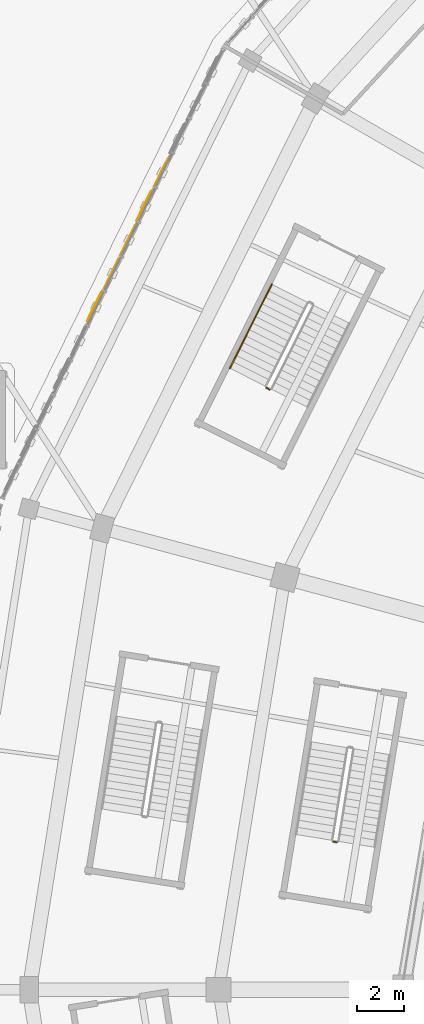
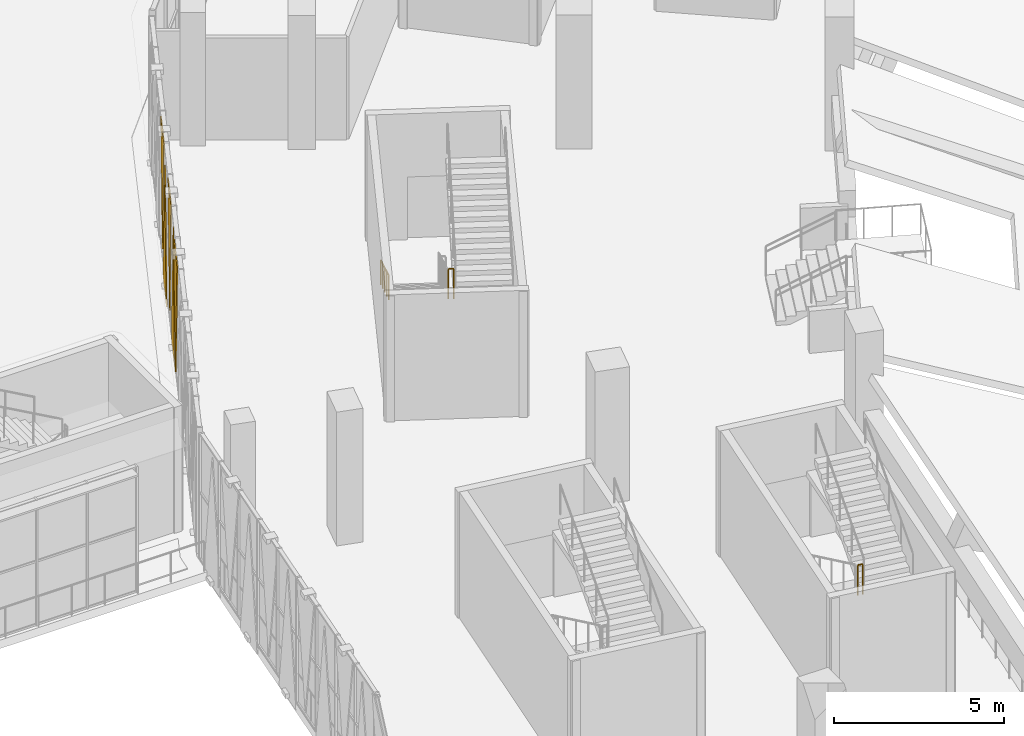
# One storey, part 141 of 183: 5 coverings, 3 railings.
"""IFC4 building model written with IfcOpenShell, lengths in metres."""

from ifc_helpers import new_model, si_unit, direction, frame, origin, origin_2d, place, context, subcontext, project, spatial, polyline, circle, outline, extrude, material, layer, layer_set, type_object, element, save


model = new_model("IFC4")

# Units and contexts
model_context = context("Model", 3, precision=1e-05, world=origin(), true_north=direction((0.0, 1.0)))
body_context = subcontext(model_context, "Body", "Model", "MODEL_VIEW")
ifc_project = project(units=[si_unit("LENGTHUNIT", "METRE"), si_unit("AREAUNIT", "SQUARE_METRE"), si_unit("VOLUMEUNIT", "CUBIC_METRE"), si_unit("PLANEANGLEUNIT", "RADIAN"), si_unit("MASSUNIT", "GRAM", prefix="KILO")], contexts=[model_context])

# Site, building, storey
site_placement = place(None, origin())
site = spatial("IfcSite", under=ifc_project, at=site_placement, CompositionType="ELEMENT")
building_placement = place(site_placement, origin())
building = spatial("IfcBuilding", under=site, at=building_placement, Name="Zevraka Park Crest Stadium", CompositionType="ELEMENT")
storey_placement = place(building_placement, frame((0.0, 0.0, 5.39990234375)))
storey = spatial("IfcBuildingStorey", under=building, at=storey_placement, Name="L01", CompositionType="ELEMENT", Elevation=5.39990234375)

# Coverings
ifc_material_1 = material(Name="Architectural golden-bronze perforated aluminium", Category="aluminium")
ifc_layer = layer(ifc_material_1, 0.034912109375)
ifc_layer_set = layer_set([ifc_layer], Name="Architectural golden-bronze perforated aluminium")
covering_type = type_object("IfcCoveringType", Name="CLD01", PredefinedType="CLADDING", material=ifc_layer_set)
covering_1_placement = place(storey_placement, frame((26.946044921875, 125.89501953125, 4.5), z_axis=(-0.897229366489, 0.441564778295, 0.000102365016), x_axis=(0.441564780609, 0.89722937119, 0.0)))
element("IfcCovering", 1, at=covering_1_placement, inside=storey, type_object=covering_type, Name="Triangular Golden-Bronze Perforated Cladding L01-10-4", PredefinedType="CLADDING", context=body_context, shape_type="SweptSolid", body=[
    extrude(outline(polyline([(0.0, 0.0), (1.4198440467462223, 6.776263578034403e-21), (0.7097064155700795, 4.2797851786730705), (0.0, 0.0)])), origin(), (0.0, 0.0, -1.0), 0.034912109375),
])
covering_2_placement = place(storey_placement, frame((26.875, 125.7509765625, -0.260009765625), z_axis=(0.897363344103, -0.441292429655, 0.000142092747), x_axis=(-0.441292434109, -0.897363353162, 0.0)))
element("IfcCovering", 2, at=covering_2_placement, inside=storey, type_object=covering_type, Name="Triangular Golden-Bronze Perforated Cladding L01-10-5", PredefinedType="CLADDING", context=body_context, shape_type="SweptSolid", body=[
    extrude(outline(polyline([(0.0, 0.0), (1.420720312745091, -1.3552527156068805e-20), (0.7101374654941018, -4.600097702688788), (0.0, 0.0)])), origin(), (0.0, 0.0, -1.0), 0.034912109375),
])
covering_3_placement = place(storey_placement, frame((25.550048828125, 123.05810546875, 4.5), z_axis=(-0.897363351947, 0.441292433512, 5.2033191e-05), x_axis=(0.441292434109, 0.897363353162, 0.0)))
element("IfcCovering", 3, at=covering_3_placement, inside=storey, type_object=covering_type, Name="Triangular Golden-Bronze Perforated Cladding L01-10-6", PredefinedType="CLADDING", context=body_context, shape_type="SweptSolid", body=[
    extrude(outline(polyline([(0.0, 0.0), (1.420720312745091, 3.3881317890172014e-21), (0.709706515851417, 4.279785162043659), (0.0, 0.0)])), origin(), (0.0, 0.0, -1.0), 0.034912109375),
])
covering_4_placement = place(storey_placement, frame((25.47900390625, 122.9140625, -0.260009765625), z_axis=(-0.897262886806, 0.441496664748, 8.3524968e-05), x_axis=(-0.441496666288, -0.897262889936, 0.0)))
element("IfcCovering", 4, at=covering_4_placement, inside=storey, type_object=covering_type, Name="Triangular Golden-Bronze Perforated Cladding L01-10-7", PredefinedType="CLADDING", context=body_context, shape_type="SweptSolid", body=[
    extrude(outline(polyline([(0.0, 0.0), (1.4200631009776323, 0.0), (0.7097064467833611, 4.600097672296107), (0.0, 0.0)])), origin(), (0.0, 0.0, -1.0), 0.034912109375),
])
covering_5_placement = place(storey_placement, frame((24.154052734375, 120.220947265625, 4.5), z_axis=(0.897396808055, -0.441224392703, 6.4629608e-05), x_axis=(0.441224393624, 0.897396809929, 0.0)))
element("IfcCovering", 5, at=covering_5_placement, inside=storey, type_object=covering_type, Name="Triangular Golden-Bronze Perforated Cladding L01-10-8", PredefinedType="CLADDING", context=body_context, shape_type="SweptSolid", body=[
    extrude(outline(polyline([(0.0, 0.0), (1.4209393996793769, 0.0), (0.7110137779652114, -4.279785165188302), (0.0, 0.0)])), origin(), (0.0, 0.0, -1.0), 0.034912109375),
])

# Railings
ifc_material_2 = material(Name="Powder-coated tubular steel stairwell guard", Category="steel")
railing_type_1 = type_object("IfcRailingType", Name="GR03", PredefinedType="GUARDRAIL", material=ifc_material_2)
railing_1_placement = place(storey_placement, frame((31.714111328125, 117.4228515625, 2.400146484375)))
element("IfcRailing", 6, at=railing_1_placement, inside=storey, type_object=railing_type_1, Name="L01 ST11 stair guard 2", PredefinedType="GUARDRAIL", context=body_context, shape_type="SweptSolid", body=[
    extrude(circle(Radius=0.02392578125, at=origin_2d()), frame((0.0, 0.0, 1.076171875), z_axis=(0.893816245171, -0.44843340628, 0.0), x_axis=(0.44843340628, 0.893816245171, 0.0)), (0.0, 0.0, 1.0), 0.16015625),
    extrude(circle(Radius=0.02099609375, at=origin_2d()), origin(), (0.0, 0.0, 1.0), 1.052001953125),
    extrude(circle(Radius=0.02099609375, at=origin_2d()), frame((0.14306640625, -0.07177734375, 0.0)), (0.0, 0.0, 1.0), 1.052001953125),
])
railing_2_placement = place(storey_placement, frame((34.53759765625, 98.25390625, 2.400146484375)))
element("IfcRailing", 7, at=railing_2_placement, inside=storey, type_object=railing_type_1, Name="L01 ST38 stair guard 2", PredefinedType="GUARDRAIL", context=body_context, shape_type="SweptSolid", body=[
    extrude(circle(Radius=0.02392578125, at=origin_2d()), frame((0.0, 0.0, 1.076171875), z_axis=(0.987085924886, -0.160191687964, 0.0), x_axis=(0.160191687964, 0.987085924886, 0.0)), (0.0, 0.0, 1.0), 0.159912109375),
    extrude(circle(Radius=0.02099609375, at=origin_2d()), origin(), (0.0, 0.0, 1.0), 1.052001953125),
    extrude(circle(Radius=0.02099609375, at=origin_2d()), frame((0.157958984375, -0.025634765625, 0.0)), (0.0, 0.0, 1.0), 1.052001953125),
])
ifc_material_3 = material(Name="Brushed stainless steel continuous handrail", Category="steel")
railing_type_2 = type_object("IfcRailingType", Name="HR01", PredefinedType="HANDRAIL", material=ifc_material_3)
railing_3_placement = place(storey_placement, frame((31.947998046875, 121.79638671875, 0.171630859375)))
element("IfcRailing", 8, at=railing_3_placement, inside=storey, type_object=railing_type_2, Name="L01 ST11 stair handrail 1", PredefinedType="HANDRAIL", context=body_context, shape_type="SweptSolid", body=[
    extrude(circle(Radius=0.02392578125, at=origin_2d()), frame((0.0, 0.0, 0.8759765625), z_axis=(-0.390499471061, -0.779388635026, 0.489962772763), x_axis=(0.894057440576, -0.447952333346, 0.0)), (0.0, 0.0, 1.0), 4.54833984375),
    extrude(circle(Radius=0.02099609375, at=origin_2d()), origin(), (0.0, 0.0, 1.0), 0.851806640625),
    extrude(circle(Radius=0.02099609375, at=origin_2d()), frame((-0.444091796875, -0.88623046875, 0.55712890625)), (0.0, 0.0, 1.0), 0.851806640625),
    extrude(circle(Radius=0.02099609375, at=origin_2d()), frame((-0.88818359375, -1.7724609375, 1.1142578125)), (0.0, 0.0, 1.0), 0.851806640625),
    extrude(circle(Radius=0.02099609375, at=origin_2d()), frame((-1.33203125, -2.65869140625, 1.67138671875)), (0.0, 0.0, 1.0), 0.851806640625),
    extrude(circle(Radius=0.02099609375, at=origin_2d()), frame((-1.776123046875, -3.544921875, 2.228515625)), (0.0, 0.0, 1.0), 0.851806640625),
])

save(model, "model.ifc")
